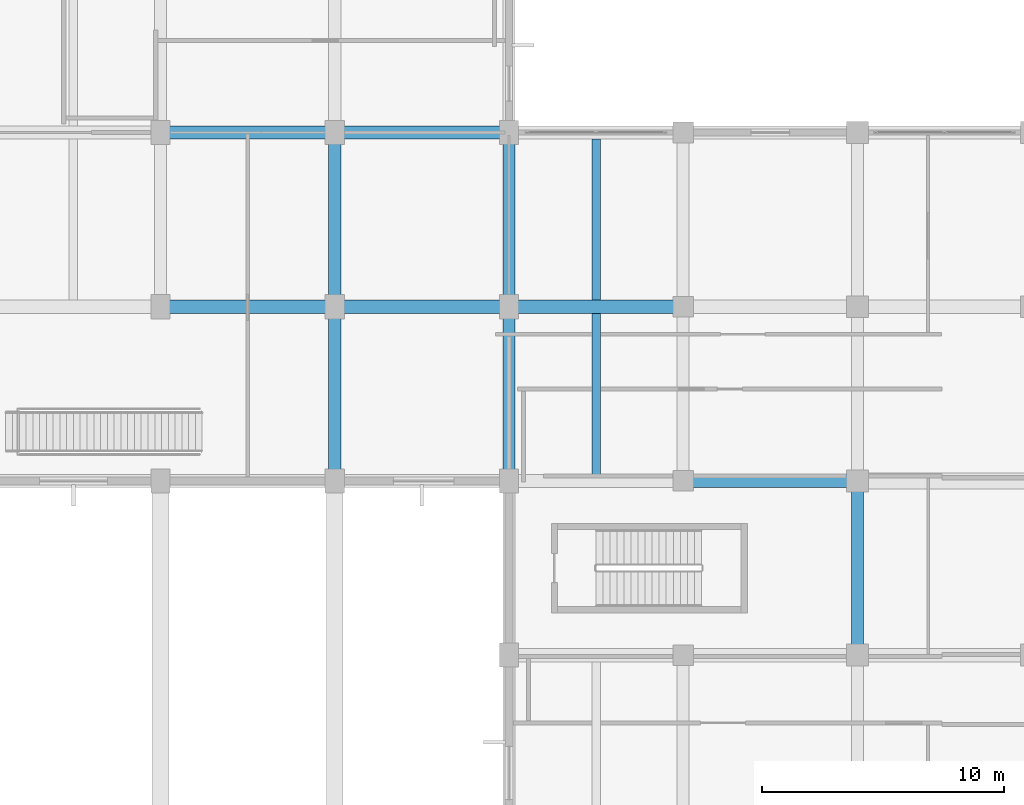
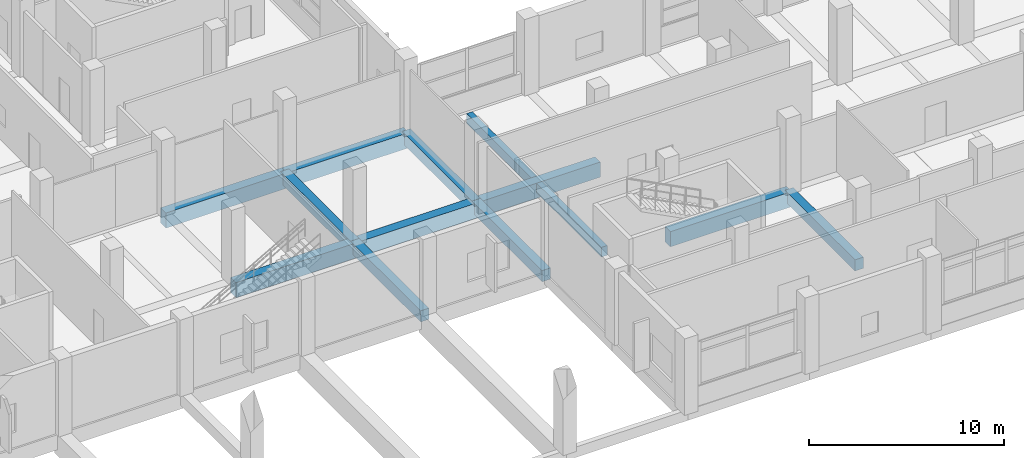
# One storey, part 10 of 181: 13 beams.
"""IFC4 building model written with IfcOpenShell, lengths in metres."""

from ifc_helpers import new_model, si_unit, direction, frame, origin, origin_2d, place, context, subcontext, project, spatial, rectangle, extrude, material, material_profile, profile_set, type_object, element, save


model = new_model("IFC4")

# Units and contexts
model_context = context("Model", 3, precision=1e-05, world=origin(), true_north=direction((0.0, 1.0)))
body_context = subcontext(model_context, "Body", "Model", "MODEL_VIEW")
ifc_project = project(units=[si_unit("LENGTHUNIT", "METRE"), si_unit("AREAUNIT", "SQUARE_METRE"), si_unit("VOLUMEUNIT", "CUBIC_METRE"), si_unit("PLANEANGLEUNIT", "RADIAN"), si_unit("MASSUNIT", "GRAM", prefix="KILO")], contexts=[model_context])

# Site, building, storey
site_placement = place(None, origin())
site = spatial("IfcSite", under=ifc_project, at=site_placement, CompositionType="ELEMENT")
building_placement = place(site_placement, origin())
building = spatial("IfcBuilding", under=site, at=building_placement, Name="Seraya Terrace Polytechnic", CompositionType="ELEMENT")
storey_placement = place(building_placement, frame((0.0, 0.0, 4.800048828125)))
storey = spatial("IfcBuildingStorey", under=building, at=storey_placement, Name="L01", CompositionType="ELEMENT", Elevation=4.800048828125)

# Beams
ifc_material = material(Name="Concrete C40/50", Category="concrete")
ifc_material_profile_1 = material_profile(ifc_material, rectangle(XDim=0.550048828125, YDim=0.949951171875, at=origin_2d()), Name="RC 550x950")
ifc_profile_set_1 = profile_set([ifc_material_profile_1], Name="Concrete C40/50")
beam_type_1 = type_object("IfcBeamType", Name="BM-03", PredefinedType="BEAM", material=ifc_profile_set_1)
beam_1_placement = place(storey_placement, frame((50.39990234375, 14.39990234375, -0.47509765625), z_axis=(1.0, 0.0, 0.0), x_axis=(0.0, 1.0, 0.0)))
element("IfcBeam", 1, at=beam_1_placement, inside=storey, type_object=beam_type_1, Name="Beam BM-03 L01 X (50.4..57.6, 14.4)", PredefinedType="BEAM", context=body_context, shape_type="SweptSolid", body=[
    extrude(rectangle(XDim=0.550048828125, YDim=0.949951171875, at=origin_2d()), origin(), (0.0, 0.0, 1.0), 7.2001953125),
])
for number, where, z_axis, x_axis, name in (
    (2, (28.800048828125, 21.60009765625, -0.47509765625), (1.0, 0.0, 0.0), (0.0, 1.0, 0.0), "Beam BM-03 L01 X (28.8..36.0, 21.6)"),
    (3, (36.0, 21.60009765625, -0.47509765625), (1.0, 0.0, 0.0), (0.0, 1.0, 0.0), "Beam BM-03 L01 X (36.0..43.2, 21.6)"),
    (4, (43.199951171875, 21.60009765625, -0.47509765625), (1.0, 0.0, 0.0), (0.0, 1.0, 0.0), "Beam BM-03 L01 X (43.2..50.4, 21.6)"),
    (5, (28.800048828125, 28.800048828125, -0.47509765625), (1.0, 0.0, 0.0), (0.0, 1.0, 0.0), "Beam BM-03 L01 X (28.8..36.0, 28.8)"),
    (6, (36.0, 28.800048828125, -0.47509765625), (1.0, 0.0, 0.0), (0.0, 1.0, 0.0), "Beam BM-03 L01 X (36.0..43.2, 28.8)"),
):
    element("IfcBeam", number, at=place(storey_placement, frame(where, z_axis=z_axis, x_axis=x_axis)), inside=storey, type_object=beam_type_1, Name=name, PredefinedType="BEAM", context=body_context, shape_type="SweptSolid", body=[
        extrude(rectangle(XDim=0.550048828125, YDim=0.949951171875, at=origin_2d()), origin(), (0.0, 0.0, 1.0), 7.199951171875),
    ])
ifc_material_profile_2 = material_profile(ifc_material, rectangle(XDim=0.5, YDim=0.699951171875, at=origin_2d()), Name="RC 500x700")
ifc_profile_set_2 = profile_set([ifc_material_profile_2], Name="Concrete C40/50")
beam_type_2 = type_object("IfcBeamType", Name="BM-07", PredefinedType="BEAM", material=ifc_profile_set_2)
beam_2_placement = place(storey_placement, frame((36.0, 14.39990234375, -0.35009765625), z_axis=(0.0, 1.0, 0.0), x_axis=(-1.0, 0.0, 0.0)))
element("IfcBeam", 7, at=beam_2_placement, inside=storey, type_object=beam_type_2, Name="Beam BM-07 L01 Y (36.0, 14.4..21.6)", PredefinedType="BEAM", context=body_context, shape_type="SweptSolid", body=[
    extrude(rectangle(XDim=0.5, YDim=0.699951171875, at=origin_2d()), origin(), (0.0, 0.0, 1.0), 7.2001953125),
])
beam_3_placement = place(storey_placement, frame((36.0, 21.60009765625, -0.35009765625), z_axis=(0.0, 1.0, 0.0), x_axis=(-1.0, 0.0, 0.0)))
element("IfcBeam", 8, at=beam_3_placement, inside=storey, type_object=beam_type_2, Name="Beam BM-07 L01 Y (36.0, 21.6..28.8)", PredefinedType="BEAM", context=body_context, shape_type="SweptSolid", body=[
    extrude(rectangle(XDim=0.5, YDim=0.699951171875, at=origin_2d()), origin(), (0.0, 0.0, 1.0), 7.199951171875),
])
beam_4_placement = place(storey_placement, frame((43.199951171875, 14.39990234375, -0.35009765625), z_axis=(0.0, 1.0, 0.0), x_axis=(-1.0, 0.0, 0.0)))
element("IfcBeam", 9, at=beam_4_placement, inside=storey, type_object=beam_type_2, Name="Beam BM-07 L01 Y (43.2, 14.4..21.6)", PredefinedType="BEAM", context=body_context, shape_type="SweptSolid", body=[
    extrude(rectangle(XDim=0.5, YDim=0.699951171875, at=origin_2d()), origin(), (0.0, 0.0, 1.0), 7.2001953125),
])
for number, where, z_axis, x_axis, name in (
    (10, (43.199951171875, 21.60009765625, -0.35009765625), (0.0, 1.0, 0.0), (-1.0, 0.0, 0.0), "Beam BM-07 L01 Y (43.2, 21.6..28.8)"),
    (11, (57.60009765625, 7.199951171875, -0.35009765625), (0.0, 1.0, 0.0), (-1.0, 0.0, 0.0), "Beam BM-07 L01 Y (57.6, 7.2..14.4)"),
):
    element("IfcBeam", number, at=place(storey_placement, frame(where, z_axis=z_axis, x_axis=x_axis)), inside=storey, type_object=beam_type_2, Name=name, PredefinedType="BEAM", context=body_context, shape_type="SweptSolid", body=[
        extrude(rectangle(XDim=0.5, YDim=0.699951171875, at=origin_2d()), origin(), (0.0, 0.0, 1.0), 7.199951171875),
    ])
ifc_material_profile_3 = material_profile(ifc_material, rectangle(XDim=0.35009765625, YDim=0.60009765625, at=origin_2d()), Name="RC 350x600")
ifc_profile_set_3 = profile_set([ifc_material_profile_3], Name="Concrete C40/50")
beam_type_3 = type_object("IfcBeamType", Name="JS-02", PredefinedType="JOIST", material=ifc_profile_set_3)
for number, where, z_axis, x_axis, name in (
    (12, (46.800048828125, 14.675048828125, -0.300048828125), (0.0, 1.0, 0.0), (-1.0, 0.0, 0.0), "Secondary joist JS-02 L01"),
    (13, (46.800048828125, 21.875, -0.300048828125), (0.0, 1.0, 0.0), (-1.0, 0.0, 0.0), "Secondary joist JS-02 L01"),
):
    element("IfcBeam", number, at=place(storey_placement, frame(where, z_axis=z_axis, x_axis=x_axis)), inside=storey, type_object=beam_type_3, Name=name, PredefinedType="JOIST", context=body_context, shape_type="SweptSolid", body=[
        extrude(rectangle(XDim=0.35009765625, YDim=0.60009765625, at=origin_2d()), origin(), (0.0, 0.0, 1.0), 6.64990234375),
    ])

save(model, "model.ifc")
